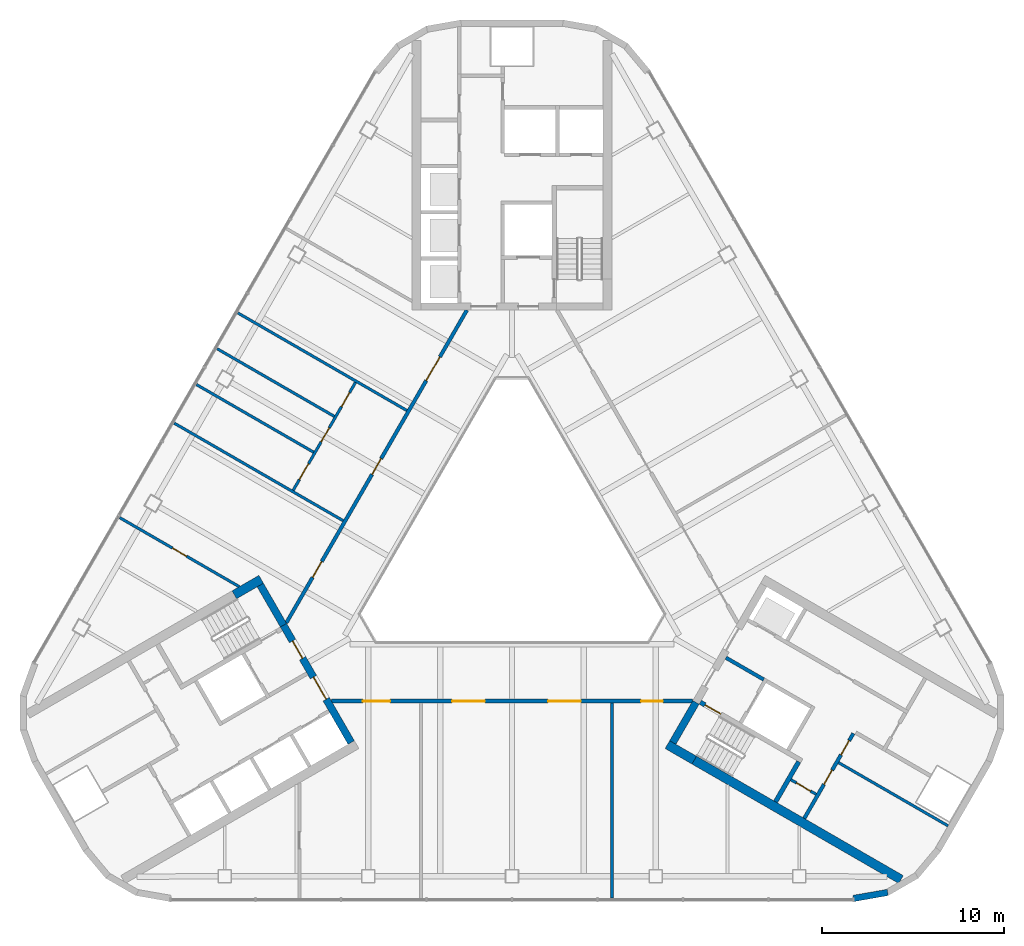
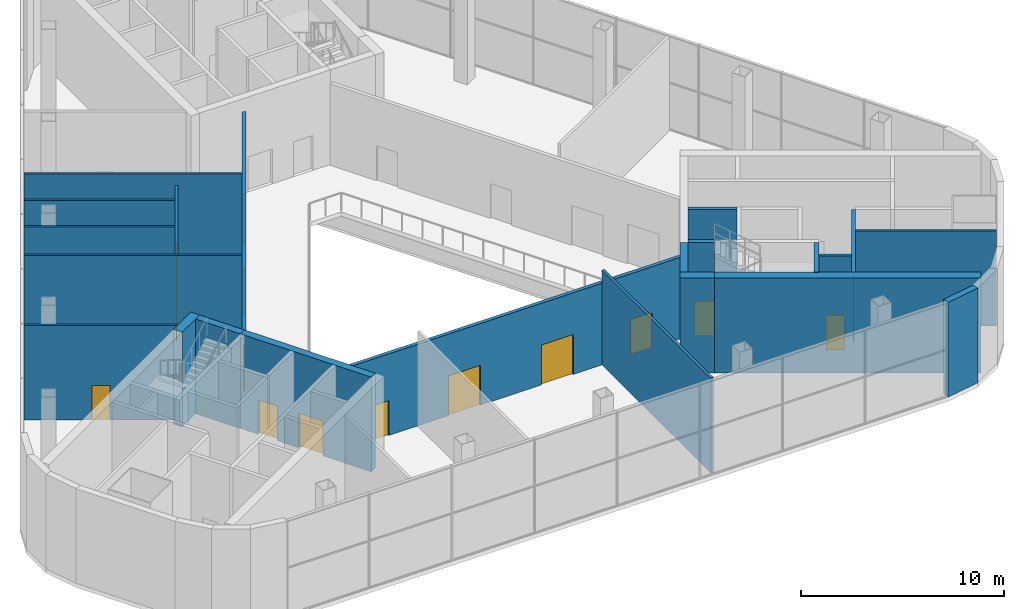
# One storey, part 8 of 14: 22 walls, 17 doors, 17 openings.
"""IFC4 building model written with IfcOpenShell, lengths in metres."""

from ifc_helpers import new_model, si_unit, direction, frame, frame_2d, origin, place, context, subcontext, project, spatial, rectangle, extrude, material, layer, layer_set, type_object, element, fill, save


model = new_model("IFC4")

# Units and contexts
model_context = context("Model", 3, precision=1e-05, world=origin(), true_north=direction((0.0, 1.0)))
body_context = subcontext(model_context, "Body", "Model", "MODEL_VIEW")
ifc_project = project(units=[si_unit("LENGTHUNIT", "METRE"), si_unit("AREAUNIT", "SQUARE_METRE"), si_unit("VOLUMEUNIT", "CUBIC_METRE"), si_unit("PLANEANGLEUNIT", "RADIAN"), si_unit("MASSUNIT", "GRAM", prefix="KILO")], contexts=[model_context])

# Site, building, storey
site_placement = place(None, origin())
site = spatial("IfcSite", under=ifc_project, at=site_placement, CompositionType="ELEMENT")
building_placement = place(site_placement, origin())
building = spatial("IfcBuilding", under=site, at=building_placement, Name="Apuvela Tower Hotel", CompositionType="ELEMENT")
storey_placement = place(building_placement, frame((0.0, 0.0, 231.699951171875)))
storey = spatial("IfcBuildingStorey", under=building, at=storey_placement, Name="L57", CompositionType="ELEMENT", Elevation=231.699951171875)

# Wall
ifc_material_1 = material(Name="Concrete C50/60", Category="concrete")
ifc_layer_1 = layer(ifc_material_1, 0.39990234375)
ifc_layer_set_1 = layer_set([ifc_layer_1], Name="COR-WALL-CORE-400")
wall_type_1 = type_object("IfcWallType", Name="COR-WALL-CORE-400", PredefinedType="SHEAR", material=ifc_layer_set_1)
wall_1_placement = place(storey_placement, frame((-13.844970703125, -2.219970703125, 0.0), z_axis=(0.0, 0.0, 1.0), x_axis=(0.500062241894, -0.865989465428, 0.0)))
element("IfcWall", 1, at=wall_1_placement, inside=storey, type_object=wall_type_1, Name="Core wall SW", PredefinedType="SHEAR", context=body_context, shape_type="SweptSolid", body=[
    extrude(rectangle(XDim=2.550048828125, YDim=0.39990234375, at=frame_2d((1.27490234375, 0.0))), origin(), (0.0, 0.0, 1.0), 5.699951171875),
])

# Wall, openings, doors
wall_2_placement = place(storey_placement, frame((-12.56982421875, -4.42822265625, 0.0), z_axis=(0.0, 0.0, 1.0), x_axis=(0.499984378957, -0.86603442241, 0.0)))
wall_2 = element("IfcWall", 2, at=wall_2_placement, inside=storey, type_object=wall_type_1, Name="Core wall SW", PredefinedType="SHEAR", context=body_context, shape_type="SweptSolid", body=[
    extrude(rectangle(XDim=7.449951171875, YDim=0.39990234375, at=frame_2d((3.72509765625, 0.0))), origin(), (0.0, 0.0, 1.0), 5.699951171875),
])
opening_1_placement = place(wall_2_placement, frame((1.0, 0.0, 0.0)))
opening_1 = element("IfcOpeningElement", 3, at=opening_1_placement, cuts=wall_2, Name="Opening W-FD", PredefinedType="OPENING", context=body_context, shape_type="SweptSolid", body=[
    extrude(rectangle(XDim=1.10009765625, YDim=2.10009765625, at=frame_2d((0.550048828125, 1.050048828125))), frame((0.0, 0.2099609375, 0.0), z_axis=(0.0, -1.0, 0.0), x_axis=(1.0, 0.0, 0.0)), (0.0, 0.0, 1.0), 0.419921875),
])
opening_2_placement = place(wall_2_placement, frame((3.300048828125, 0.0, 0.0)))
opening_2 = element("IfcOpeningElement", 4, at=opening_2_placement, cuts=wall_2, Name="Opening W-GD", PredefinedType="OPENING", context=body_context, shape_type="SweptSolid", body=[
    extrude(rectangle(XDim=1.39990234375, YDim=2.10009765625, at=frame_2d((0.699951171875, 1.050048828125))), frame((0.0, 0.2099609375, 0.0), z_axis=(0.0, -1.0, 0.0), x_axis=(1.0, 0.0, 0.0)), (0.0, 0.0, 1.0), 0.419921875),
])
ifc_material_2 = material(Name="Steel fire door, powder coated", Category="steel")
door_type_1 = type_object("IfcDoorType", Name="COR-FD-1100", OperationType="NOTDEFINED", PredefinedType="DOOR", material=ifc_material_2)
door_1_placement = place(opening_1_placement, frame((1.10009765625, 0.0, 0.0), z_axis=(0.0, 0.0, 1.0), x_axis=(-1.0, 0.0, 0.0)))
door_1 = element("IfcDoor", 5, at=door_1_placement, inside=storey, type_object=door_type_1, Name="Firefighting lobby door W-FD", OperationType="SINGLE_SWING_LEFT", OverallHeight=2.10009765625, OverallWidth=1.10009765625, PredefinedType="DOOR", context=body_context, shape_type="SweptSolid", body=[
    extrude(rectangle(XDim=1.10009765625, YDim=2.10009765625, at=frame_2d((0.550048828125, 1.050048828125))), frame((0.0, 0.02490234375, 0.0), z_axis=(0.0, -1.0, 0.0), x_axis=(1.0, 0.0, 0.0)), (0.0, 0.0, 1.0), 0.050048828125),
])
fill(opening_1, door_1)
ifc_material_3 = material(Name="Glazed steel fire door", Category="steel")
door_type_2 = type_object("IfcDoorType", Name="COR-GD-1400", OperationType="DOUBLE_DOOR_SINGLE_SWING", PredefinedType="DOOR", material=ifc_material_3)
door_2_placement = place(opening_2_placement, frame((1.39990234375, 0.0, 0.0), z_axis=(0.0, 0.0, 1.0), x_axis=(-1.0, 0.0, 0.0)))
door_2 = element("IfcDoor", 6, at=door_2_placement, inside=storey, type_object=door_type_2, Name="Lift lobby door W-GD", OperationType="DOUBLE_DOOR_SINGLE_SWING", OverallHeight=2.10009765625, OverallWidth=1.39990234375, PredefinedType="DOOR", context=body_context, shape_type="SweptSolid", body=[
    extrude(rectangle(XDim=1.39990234375, YDim=2.10009765625, at=frame_2d((0.699951171875, 1.050048828125))), frame((0.0, 0.02490234375, 0.0), z_axis=(0.0, -1.0, 0.0), x_axis=(1.0, 0.0, 0.0)), (0.0, 0.0, 1.0), 0.050048828125),
])
fill(opening_2, door_2)

# Walls
wall_3_placement = place(storey_placement, frame((8.844970703125, -10.880126953125, 0.0), z_axis=(0.0, 0.0, 1.0), x_axis=(0.499990435942, 0.866030925526, 0.0)))
element("IfcWall", 7, at=wall_3_placement, inside=storey, type_object=wall_type_1, Name="Core wall SE", PredefinedType="SHEAR", context=body_context, shape_type="SweptSolid", body=[
    extrude(rectangle(XDim=2.5498046875, YDim=0.39990234375, at=frame_2d((1.27490234375, 0.0))), origin(), (0.0, 0.0, 1.0), 5.699951171875),
])
ifc_layer_2 = layer(ifc_material_1, 0.5)
ifc_layer_set_2 = layer_set([ifc_layer_2], Name="COR-WALL-CORE-500")
wall_type_2 = type_object("IfcWallType", Name="COR-WALL-CORE-500", PredefinedType="SHEAR", material=ifc_layer_set_2)
for number, where, z_axis, x_axis, name in (
    (8, (-13.796630859375, -1.9033203125, 0.0), (0.0, 0.0, 1.0), (-0.866033076574, -0.499986710104, 0.0), "Core wall SW"),
    (9, (8.546630859375, -10.99658203125, 0.0), (0.0, 0.0, 1.0), (0.866033076574, -0.499986710104, 0.0), "Core wall SE"),
):
    element("IfcWall", number, at=place(storey_placement, frame(where, z_axis=z_axis, x_axis=x_axis)), inside=storey, type_object=wall_type_2, Name=name, PredefinedType="SHEAR", context=body_context, shape_type="SweptSolid", body=[
        extrude(rectangle(XDim=1.7060546875, YDim=0.5, at=frame_2d((0.85302734375, 0.0))), origin(), (0.0, 0.0, 1.0), 5.699951171875),
    ])
wall_4_placement = place(storey_placement, frame((10.024169921875, -11.849609375, 0.0), z_axis=(0.0, 0.0, 1.0), x_axis=(0.86602396135, -0.500002498361, 0.0)))
element("IfcWall", 10, at=wall_4_placement, inside=storey, type_object=wall_type_2, Name="Core wall SE", PredefinedType="SHEAR", context=body_context, shape_type="SweptSolid", body=[
    extrude(rectangle(XDim=13.130859375, YDim=0.5, at=frame_2d((6.5654296875, 0.0))), origin(), (0.0, 0.0, 1.0), 5.699951171875),
])

# Wall, opening, door
ifc_material_4 = material(Name="Blockwork 150 mm plastered", Category="masonry")
ifc_layer_3 = layer(ifc_material_4, 0.14990234375)
ifc_layer_set_3 = layer_set([ifc_layer_3], Name="COR-WALL-PART-150")
wall_type_3 = type_object("IfcWallType", Name="COR-WALL-PART-150", PredefinedType="PARTITIONING", material=ifc_layer_set_3)
wall_5_placement = place(storey_placement, frame((15.341552734375, -12.927734375, 0.0), z_axis=(0.0, 0.0, 1.0), x_axis=(0.865989903783, -0.500061482766, 0.0)))
wall_5 = element("IfcWall", 11, at=wall_5_placement, inside=storey, type_object=wall_type_3, Name="Partition SE", PredefinedType="PARTITIONING", context=body_context, shape_type="SweptSolid", body=[
    extrude(rectangle(XDim=1.599853515625, YDim=0.14990234375, at=frame_2d((0.7998046875, 0.0))), origin(), (0.0, 0.0, 1.0), 5.699951171875),
])
opening_3_placement = place(wall_5_placement, frame((0.35009765625, 0.0, 0.0)))
opening_3 = element("IfcOpeningElement", 12, at=opening_3_placement, cuts=wall_5, Name="Opening E-RD", PredefinedType="OPENING", context=body_context, shape_type="SweptSolid", body=[
    extrude(rectangle(XDim=0.89990234375, YDim=2.10009765625, at=frame_2d((0.449951171875, 1.050048828125))), frame((0.0, 0.0849609375, 0.0), z_axis=(0.0, -1.0, 0.0), x_axis=(1.0, 0.0, 0.0)), (0.0, 0.0, 1.0), 0.169921875),
])
ifc_material_5 = material(Name="Steel access door, powder coated", Category="steel")
door_type_3 = type_object("IfcDoorType", Name="COR-RD-900", OperationType="NOTDEFINED", PredefinedType="DOOR", material=ifc_material_5)
door_3_placement = place(opening_3_placement, frame((0.89990234375, 0.0, 0.0), z_axis=(0.0, 0.0, 1.0), x_axis=(-1.0, 0.0, 0.0)))
door_3 = element("IfcDoor", 13, at=door_3_placement, inside=storey, type_object=door_type_3, Name="Riser door E-RD", OperationType="SINGLE_SWING_LEFT", OverallHeight=2.10009765625, OverallWidth=0.89990234375, PredefinedType="DOOR", context=body_context, shape_type="SweptSolid", body=[
    extrude(rectangle(XDim=0.89990234375, YDim=2.10009765625, at=frame_2d((0.449951171875, 1.050048828125))), frame((0.0, 0.02490234375, 0.0), z_axis=(0.0, -1.0, 0.0), x_axis=(1.0, 0.0, 0.0)), (0.0, 0.0, 1.0), 0.050048828125),
])
fill(opening_3, door_3)

# Wall
wall_6_placement = place(storey_placement, frame((17.962890625, -11.9873046875, 0.0), z_axis=(0.0, 0.0, 1.0), x_axis=(0.866016523273, -0.500015381182, 0.0)))
element("IfcWall", 14, at=wall_6_placement, inside=storey, type_object=wall_type_3, Name="Partition SE", PredefinedType="PARTITIONING", context=body_context, shape_type="SweptSolid", body=[
    extrude(rectangle(XDim=6.949951171875, YDim=0.14990234375, at=frame_2d((3.47509765625, 0.0))), origin(), (0.0, 0.0, 1.0), 5.699951171875),
])

# Wall, openings, doors
ifc_material_6 = material(Name="Blockwork 200 mm plastered", Category="masonry")
ifc_layer_4 = layer(ifc_material_6, 0.199951171875)
ifc_layer_set_4 = layer_set([ifc_layer_4], Name="COR-WALL-PART-200")
wall_type_4 = type_object("IfcWallType", Name="COR-WALL-PART-200", PredefinedType="PARTITIONING", material=ifc_layer_set_4)
wall_7_placement = place(storey_placement, frame((16.076171875, -15.05517578125, 0.0), z_axis=(0.0, 0.0, 1.0), x_axis=(0.499995103361, 0.866028230842, 0.0)))
wall_7 = element("IfcWall", 15, at=wall_7_placement, inside=storey, type_object=wall_type_4, Name="Partition SE", PredefinedType="PARTITIONING", context=body_context, shape_type="SweptSolid", body=[
    extrude(rectangle(XDim=5.39990234375, YDim=0.199951171875, at=frame_2d((2.699951171875, 0.0))), origin(), (0.0, 0.0, 1.0), 5.699951171875),
])
opening_4_placement = place(wall_7_placement, frame((2.16259765625, 0.0, 0.0)))
opening_4 = element("IfcOpeningElement", 16, at=opening_4_placement, cuts=wall_7, Name="Opening E-RS1", PredefinedType="OPENING", context=body_context, shape_type="SweptSolid", body=[
    extrude(rectangle(XDim=0.89990234375, YDim=2.10009765625, at=frame_2d((0.449951171875, 1.050048828125))), frame((0.0, 0.10986328125, 0.0), z_axis=(0.0, -1.0, 0.0), x_axis=(1.0, 0.0, 0.0)), (0.0, 0.0, 1.0), 0.219970703125),
])
opening_5_placement = place(wall_7_placement, frame((4.03759765625, 0.0, 0.0)))
opening_5 = element("IfcOpeningElement", 17, at=opening_5_placement, cuts=wall_7, Name="Opening E-RS2", PredefinedType="OPENING", context=body_context, shape_type="SweptSolid", body=[
    extrude(rectangle(XDim=0.89990234375, YDim=2.10009765625, at=frame_2d((0.449951171875, 1.050048828125))), frame((0.0, 0.10986328125, 0.0), z_axis=(0.0, -1.0, 0.0), x_axis=(1.0, 0.0, 0.0)), (0.0, 0.0, 1.0), 0.219970703125),
])
door_type_4 = type_object("IfcDoorType", Name="COR-DR-900", OperationType="NOTDEFINED", PredefinedType="DOOR", material=ifc_material_2)
door_4_placement = place(opening_4_placement, frame((0.89990234375, 0.0, 0.0), z_axis=(0.0, 0.0, 1.0), x_axis=(-1.0, 0.0, 0.0)))
door_4 = element("IfcDoor", 18, at=door_4_placement, inside=storey, type_object=door_type_4, Name="Store door E-RS1", OperationType="SINGLE_SWING_LEFT", OverallHeight=2.10009765625, OverallWidth=0.89990234375, PredefinedType="DOOR", context=body_context, shape_type="SweptSolid", body=[
    extrude(rectangle(XDim=0.89990234375, YDim=2.10009765625, at=frame_2d((0.449951171875, 1.050048828125))), frame((0.0, 0.02490234375, 0.0), z_axis=(0.0, -1.0, 0.0), x_axis=(1.0, 0.0, 0.0)), (0.0, 0.0, 1.0), 0.050048828125),
])
fill(opening_4, door_4)
door_5_placement = place(opening_5_placement, frame((0.89990234375, 0.0, 0.0), z_axis=(0.0, 0.0, 1.0), x_axis=(-1.0, 0.0, 0.0)))
door_5 = element("IfcDoor", 19, at=door_5_placement, inside=storey, type_object=door_type_4, Name="Store door E-RS2", OperationType="SINGLE_SWING_LEFT", OverallHeight=2.10009765625, OverallWidth=0.89990234375, PredefinedType="DOOR", context=body_context, shape_type="SweptSolid", body=[
    extrude(rectangle(XDim=0.89990234375, YDim=2.10009765625, at=frame_2d((0.449951171875, 1.050048828125))), frame((0.0, 0.02490234375, 0.0), z_axis=(0.0, -1.0, 0.0), x_axis=(1.0, 0.0, 0.0)), (0.0, 0.0, 1.0), 0.050048828125),
])
fill(opening_5, door_5)

# Walls
ifc_layer_5 = layer(ifc_material_1, 0.199951171875)
ifc_layer_set_5 = layer_set([ifc_layer_5], Name="COR-WALL-SHAFT-200")
wall_type_5 = type_object("IfcWallType", Name="COR-WALL-SHAFT-200", PredefinedType="SHEAR", material=ifc_layer_set_5)
wall_8_placement = place(storey_placement, frame((11.76806640625, -6.217041015625, 0.0), z_axis=(0.0, 0.0, 1.0), x_axis=(0.866050077142, -0.499957262057, 0.0)))
element("IfcWall", 20, at=wall_8_placement, inside=storey, type_object=wall_type_5, Name="Shaft wall SE", PredefinedType="SHEAR", context=body_context, shape_type="SweptSolid", body=[
    extrude(rectangle(XDim=2.400146484375, YDim=0.199951171875, at=frame_2d((1.2001953125, 0.0))), origin(), (0.0, 0.0, 1.0), 5.699951171875),
])
ifc_layer_6 = layer(ifc_material_1, 0.25)
ifc_layer_set_6 = layer_set([ifc_layer_6], Name="COR-WALL-STAIR-250")
wall_type_6 = type_object("IfcWallType", Name="COR-WALL-STAIR-250", PredefinedType="SHEAR", material=ifc_layer_set_6)
wall_9_placement = place(storey_placement, frame((14.49560546875, -14.142578125, 0.0), z_axis=(0.0, 0.0, 1.0), x_axis=(0.500062241894, 0.865989465428, 0.0)))
element("IfcWall", 21, at=wall_9_placement, inside=storey, type_object=wall_type_6, Name="Stair wall SE", PredefinedType="SHEAR", context=body_context, shape_type="SweptSolid", body=[
    extrude(rectangle(XDim=2.550048828125, YDim=0.25, at=frame_2d((1.27490234375, 0.0))), origin(), (0.0, 0.0, 1.0), 5.699951171875),
])

# Wall, opening, door
wall_10_placement = place(storey_placement, frame((10.355712890625, -8.66357421875, 0.0), z_axis=(0.0, 0.0, 1.0), x_axis=(0.866095317631, -0.499878886109, 0.0)))
wall_10 = element("IfcWall", 22, at=wall_10_placement, inside=storey, type_object=wall_type_6, Name="Stair wall SE", PredefinedType="SHEAR", context=body_context, shape_type="SweptSolid", body=[
    extrude(rectangle(XDim=1.305908203125, YDim=0.25, at=frame_2d((0.65283203125, 0.0))), origin(), (0.0, 0.0, 1.0), 5.699951171875),
])
opening_6_placement = place(wall_10_placement, frame((0.300048828125, 0.0, 0.0)))
opening_6 = element("IfcOpeningElement", 23, at=opening_6_placement, cuts=wall_10, Name="Opening E-SD", PredefinedType="OPENING", context=body_context, shape_type="SweptSolid", body=[
    extrude(rectangle(XDim=1.0, YDim=2.10009765625, at=frame_2d((0.5, 1.050048828125))), frame((0.0, 0.135009765625, 0.0), z_axis=(0.0, -1.0, 0.0), x_axis=(1.0, 0.0, 0.0)), (0.0, 0.0, 1.0), 0.27001953125),
])
door_type_5 = type_object("IfcDoorType", Name="COR-SD-1000", OperationType="NOTDEFINED", PredefinedType="DOOR", material=ifc_material_2)
door_6_placement = place(opening_6_placement, frame((1.0, 0.0, 0.0), z_axis=(0.0, 0.0, 1.0), x_axis=(-1.0, 0.0, 0.0)))
door_6 = element("IfcDoor", 24, at=door_6_placement, inside=storey, type_object=door_type_5, Name="Stair door E-SD", OperationType="SINGLE_SWING_LEFT", OverallHeight=2.10009765625, OverallWidth=1.0, PredefinedType="DOOR", context=body_context, shape_type="SweptSolid", body=[
    extrude(rectangle(XDim=1.0, YDim=2.10009765625, at=frame_2d((0.5, 1.050048828125))), frame((0.0, 0.02490234375, 0.0), z_axis=(0.0, -1.0, 0.0), x_axis=(1.0, 0.0, 0.0)), (0.0, 0.0, 1.0), 0.050048828125),
])
fill(opening_6, door_6)

# Wall
ifc_material_7 = material(Name="Concrete C40/50, dark pigmented precast panel", Category="concrete")
ifc_layer_7 = layer(ifc_material_7, 0.35009765625)
ifc_layer_set_7 = layer_set([ifc_layer_7], Name="ENV-WALL-350")
wall_type_7 = type_object("IfcWallType", Name="ENV-WALL-350", PredefinedType="SOLIDWALL", material=ifc_layer_set_7)
wall_11_placement = place(storey_placement, frame((18.785400390625, -19.457763671875, 0.0), z_axis=(0.0, 0.0, 1.0), x_axis=(0.984798995425, 0.173697837091, 0.0)))
element("IfcWall", 25, at=wall_11_placement, inside=storey, type_object=wall_type_7, Name="External wall L57-16", PredefinedType="SOLIDWALL", context=body_context, shape_type="SweptSolid", body=[
    extrude(rectangle(XDim=1.91015625, YDim=0.35009765625, at=frame_2d((0.955078125, 0.0))), origin(), (0.0, 0.0, 1.0), 5.699951171875),
])

# Wall, openings, doors
ifc_material_8 = material(Name="Fire-rated gypsum board partition on steel stud", Category="steel")
ifc_layer_8 = layer(ifc_material_8, 0.199951171875)
ifc_layer_set_8 = layer_set([ifc_layer_8], Name="SPC-WALL-CORRIDOR")
wall_type_8 = type_object("IfcWallType", Name="SPC-WALL-CORRIDOR", PredefinedType="PARTITIONING", material=ifc_layer_set_8)
wall_12_placement = place(storey_placement, frame((-9.930419921875, -8.60009765625, 0.0), z_axis=(0.0, 0.0, 1.0), x_axis=(1.0, 0.0, 0.0)))
wall_12 = element("IfcWall", 26, at=wall_12_placement, inside=storey, type_object=wall_type_8, Name="Wall L57-S-CW", PredefinedType="PARTITIONING", context=body_context, shape_type="SweptSolid", body=[
    extrude(rectangle(XDim=19.86083984375, YDim=0.199951171875, at=frame_2d((9.930419921875, 0.0))), origin(), (0.0, 0.0, 1.0), 4.91015625),
])
opening_7_placement = place(wall_12_placement, frame((1.733642578125, 0.0, 0.0)))
opening_7 = element("IfcOpeningElement", 27, at=opening_7_placement, cuts=wall_12, Name="Opening L57-S05", PredefinedType="OPENING", context=body_context, shape_type="SweptSolid", body=[
    extrude(rectangle(XDim=1.5, YDim=2.10009765625, at=frame_2d((0.75, 1.050048828125))), frame((0.0, 0.10986328125, 0.0), z_axis=(0.0, -1.0, 0.0), x_axis=(1.0, 0.0, 0.0)), (0.0, 0.0, 1.0), 0.219970703125),
])
opening_8_placement = place(wall_12_placement, frame((6.63720703125, 0.0, 0.0)))
opening_8 = element("IfcOpeningElement", 28, at=opening_8_placement, cuts=wall_12, Name="Opening L57-S07", PredefinedType="OPENING", context=body_context, shape_type="SweptSolid", body=[
    extrude(rectangle(XDim=1.800048828125, YDim=2.39990234375, at=frame_2d((0.89990234375, 1.199951171875))), frame((0.0, 0.10986328125, 0.0), z_axis=(0.0, -1.0, 0.0), x_axis=(1.0, 0.0, 0.0)), (0.0, 0.0, 1.0), 0.219970703125),
])
opening_9_placement = place(wall_12_placement, frame((11.923828125, 0.0, 0.0)))
opening_9 = element("IfcOpeningElement", 29, at=opening_9_placement, cuts=wall_12, Name="Opening L57-S08", PredefinedType="OPENING", context=body_context, shape_type="SweptSolid", body=[
    extrude(rectangle(XDim=1.800048828125, YDim=2.39990234375, at=frame_2d((0.89990234375, 1.199951171875))), frame((0.0, 0.10986328125, 0.0), z_axis=(0.0, -1.0, 0.0), x_axis=(1.0, 0.0, 0.0)), (0.0, 0.0, 1.0), 0.219970703125),
])
opening_10_placement = place(wall_12_placement, frame((17.027587890625, 0.0, 0.0)))
opening_10 = element("IfcOpeningElement", 30, at=opening_10_placement, cuts=wall_12, Name="Opening L57-S09", PredefinedType="OPENING", context=body_context, shape_type="SweptSolid", body=[
    extrude(rectangle(XDim=1.199951171875, YDim=2.10009765625, at=frame_2d((0.60009765625, 1.050048828125))), frame((0.0, 0.10986328125, 0.0), z_axis=(0.0, -1.0, 0.0), x_axis=(1.0, 0.0, 0.0)), (0.0, 0.0, 1.0), 0.219970703125),
])
ifc_material_9 = material(Name="Fire-rated hardwood veneer door leaf", Category="wood")
door_type_6 = type_object("IfcDoorType", Name="SPC-DOOR-1200-FD", OperationType="NOTDEFINED", PredefinedType="DOOR", material=ifc_material_9)
door_7_placement = place(opening_10_placement, frame((1.199951171875, 0.0, 0.0), z_axis=(0.0, 0.0, 1.0), x_axis=(-1.0, 0.0, 0.0)))
door_7 = element("IfcDoor", 31, at=door_7_placement, inside=storey, type_object=door_type_6, Name="L57-S09", OperationType="SINGLE_SWING_RIGHT", OverallHeight=2.10009765625, OverallWidth=1.199951171875, PredefinedType="DOOR", context=body_context, shape_type="SweptSolid", body=[
    extrude(rectangle(XDim=1.199951171875, YDim=2.10009765625, at=frame_2d((0.60009765625, 1.050048828125))), frame((0.0, 0.02490234375, 0.0), z_axis=(0.0, -1.0, 0.0), x_axis=(1.0, 0.0, 0.0)), (0.0, 0.0, 1.0), 0.050048828125),
])
fill(opening_10, door_7)
door_type_7 = type_object("IfcDoorType", Name="SPC-DOOR-1500-FD", OperationType="NOTDEFINED", PredefinedType="DOOR", material=ifc_material_9)
door_8_placement = place(opening_7_placement, origin())
door_8 = element("IfcDoor", 32, at=door_8_placement, inside=storey, type_object=door_type_7, Name="L57-S05", OperationType="DOUBLE_DOOR_SINGLE_SWING", OverallHeight=2.10009765625, OverallWidth=1.5, PredefinedType="DOOR", context=body_context, shape_type="SweptSolid", body=[
    extrude(rectangle(XDim=1.5, YDim=2.10009765625, at=frame_2d((0.75, 1.050048828125))), frame((0.0, 0.02490234375, 0.0), z_axis=(0.0, -1.0, 0.0), x_axis=(1.0, 0.0, 0.0)), (0.0, 0.0, 1.0), 0.050048828125),
])
fill(opening_7, door_8)
door_type_8 = type_object("IfcDoorType", Name="SPC-DOOR-1800-FD", OperationType="NOTDEFINED", PredefinedType="DOOR", material=ifc_material_9)
door_9_placement = place(opening_8_placement, frame((1.800048828125, 0.0, 0.0), z_axis=(0.0, 0.0, 1.0), x_axis=(-1.0, 0.0, 0.0)))
door_9 = element("IfcDoor", 33, at=door_9_placement, inside=storey, type_object=door_type_8, Name="L57-S07", OperationType="DOUBLE_DOOR_SINGLE_SWING", OverallHeight=2.39990234375, OverallWidth=1.800048828125, PredefinedType="DOOR", context=body_context, shape_type="SweptSolid", body=[
    extrude(rectangle(XDim=1.800048828125, YDim=2.39990234375, at=frame_2d((0.89990234375, 1.199951171875))), frame((0.0, 0.02490234375, 0.0), z_axis=(0.0, -1.0, 0.0), x_axis=(1.0, 0.0, 0.0)), (0.0, 0.0, 1.0), 0.050048828125),
])
fill(opening_8, door_9)
door_10_placement = place(opening_9_placement, frame((1.800048828125, 0.0, 0.0), z_axis=(0.0, 0.0, 1.0), x_axis=(-1.0, 0.0, 0.0)))
door_10 = element("IfcDoor", 34, at=door_10_placement, inside=storey, type_object=door_type_8, Name="L57-S08", OperationType="DOUBLE_DOOR_SINGLE_SWING", OverallHeight=2.39990234375, OverallWidth=1.800048828125, PredefinedType="DOOR", context=body_context, shape_type="SweptSolid", body=[
    extrude(rectangle(XDim=1.800048828125, YDim=2.39990234375, at=frame_2d((0.89990234375, 1.199951171875))), frame((0.0, 0.02490234375, 0.0), z_axis=(0.0, -1.0, 0.0), x_axis=(1.0, 0.0, 0.0)), (0.0, 0.0, 1.0), 0.050048828125),
])
fill(opening_9, door_10)

wall_13_placement = place(storey_placement, frame((-2.482421875, 12.900146484375, 0.0), z_axis=(0.0, 0.0, 1.0), x_axis=(-0.50000478328, -0.866022642139, 0.0)))
wall_13 = element("IfcWall", 35, at=wall_13_placement, inside=storey, type_object=wall_type_8, Name="Wall L57-NW-CW", PredefinedType="PARTITIONING", context=body_context, shape_type="SweptSolid", body=[
    extrude(rectangle(XDim=19.861083984375, YDim=0.199951171875, at=frame_2d((9.9306640625, 0.0))), origin(), (0.0, 0.0, 1.0), 4.91015625),
])
opening_11_placement = place(wall_13_placement, frame((2.968017578125, 0.0, 0.0)))
opening_11 = element("IfcOpeningElement", 36, at=opening_11_placement, cuts=wall_13, Name="Opening L57-S10", PredefinedType="OPENING", context=body_context, shape_type="SweptSolid", body=[
    extrude(rectangle(XDim=1.5, YDim=2.10009765625, at=frame_2d((0.75, 1.050048828125))), frame((0.0, 0.10986328125, 0.0), z_axis=(0.0, -1.0, 0.0), x_axis=(1.0, 0.0, 0.0)), (0.0, 0.0, 1.0), 0.219970703125),
])
opening_12_placement = place(wall_13_placement, frame((15.968017578125, 0.0, 0.0)))
opening_12 = element("IfcOpeningElement", 37, at=opening_12_placement, cuts=wall_13, Name="Opening L57-S12", PredefinedType="OPENING", context=body_context, shape_type="SweptSolid", body=[
    extrude(rectangle(XDim=1.0, YDim=2.10009765625, at=frame_2d((0.5, 1.050048828125))), frame((0.0, 0.10986328125, 0.0), z_axis=(0.0, -1.0, 0.0), x_axis=(1.0, 0.0, 0.0)), (0.0, 0.0, 1.0), 0.219970703125),
])
opening_13_placement = place(wall_13_placement, frame((9.430419921875, 0.0, 0.0)))
opening_13 = element("IfcOpeningElement", 38, at=opening_13_placement, cuts=wall_13, Name="Opening L57-S15", PredefinedType="OPENING", context=body_context, shape_type="SweptSolid", body=[
    extrude(rectangle(XDim=1.0, YDim=2.10009765625, at=frame_2d((0.5, 1.050048828125))), frame((0.0, 0.10986328125, 0.0), z_axis=(0.0, -1.0, 0.0), x_axis=(1.0, 0.0, 0.0)), (0.0, 0.0, 1.0), 0.219970703125),
])
door_type_9 = type_object("IfcDoorType", Name="SPC-DOOR-1000-FD", OperationType="NOTDEFINED", PredefinedType="DOOR", material=ifc_material_9)
door_11_placement = place(opening_12_placement, origin())
door_11 = element("IfcDoor", 39, at=door_11_placement, inside=storey, type_object=door_type_9, Name="L57-S12", OperationType="SINGLE_SWING_RIGHT", OverallHeight=2.10009765625, OverallWidth=1.0, PredefinedType="DOOR", context=body_context, shape_type="SweptSolid", body=[
    extrude(rectangle(XDim=1.0, YDim=2.10009765625, at=frame_2d((0.5, 1.050048828125))), frame((0.0, 0.02490234375, 0.0), z_axis=(0.0, -1.0, 0.0), x_axis=(1.0, 0.0, 0.0)), (0.0, 0.0, 1.0), 0.050048828125),
])
fill(opening_12, door_11)
door_12_placement = place(opening_13_placement, frame((1.0, 0.0, 0.0), z_axis=(0.0, 0.0, 1.0), x_axis=(-1.0, 0.0, 0.0)))
door_12 = element("IfcDoor", 40, at=door_12_placement, inside=storey, type_object=door_type_9, Name="L57-S15", OperationType="SINGLE_SWING_RIGHT", OverallHeight=2.10009765625, OverallWidth=1.0, PredefinedType="DOOR", context=body_context, shape_type="SweptSolid", body=[
    extrude(rectangle(XDim=1.0, YDim=2.10009765625, at=frame_2d((0.5, 1.050048828125))), frame((0.0, 0.02490234375, 0.0), z_axis=(0.0, -1.0, 0.0), x_axis=(1.0, 0.0, 0.0)), (0.0, 0.0, 1.0), 0.050048828125),
])
fill(opening_13, door_12)
door_13_placement = place(opening_11_placement, origin())
door_13 = element("IfcDoor", 41, at=door_13_placement, inside=storey, type_object=door_type_7, Name="L57-S10", OperationType="DOUBLE_DOOR_SINGLE_SWING", OverallHeight=2.10009765625, OverallWidth=1.5, PredefinedType="DOOR", context=body_context, shape_type="SweptSolid", body=[
    extrude(rectangle(XDim=1.5, YDim=2.10009765625, at=frame_2d((0.75, 1.050048828125))), frame((0.0, 0.02490234375, 0.0), z_axis=(0.0, -1.0, 0.0), x_axis=(1.0, 0.0, 0.0)), (0.0, 0.0, 1.0), 0.050048828125),
])
fill(opening_11, door_13)

# Wall
ifc_material_10 = material(Name="Gypsum board partition on steel stud", Category="steel")
ifc_layer_9 = layer(ifc_material_10, 0.14990234375)
ifc_layer_set_9 = layer_set([ifc_layer_9], Name="SPC-WALL-PARTITION")
wall_type_9 = type_object("IfcWallType", Name="SPC-WALL-PARTITION", PredefinedType="PARTITIONING", material=ifc_layer_set_9)
wall_14_placement = place(storey_placement, frame((5.5, -19.429931640625, 0.0), z_axis=(0.0, 0.0, 1.0), x_axis=(0.0, 1.0, 0.0)))
element("IfcWall", 42, at=wall_14_placement, inside=storey, type_object=wall_type_9, Name="Wall L57-S-P03", PredefinedType="PARTITIONING", context=body_context, shape_type="SweptSolid", body=[
    extrude(rectangle(XDim=10.72998046875, YDim=0.14990234375, at=frame_2d((5.364990234375, 0.0))), origin(), (0.0, 0.0, 1.0), 5.699951171875),
])

# Wall, openings, doors
wall_15_placement = place(storey_placement, frame((-8.609619140625, 8.925537109375, 0.0), z_axis=(0.0, 0.0, 1.0), x_axis=(-0.500014519185, -0.866017020967, 0.0)))
wall_15 = element("IfcWall", 43, at=wall_15_placement, inside=storey, type_object=wall_type_9, Name="Wall L57-NW-P01", PredefinedType="PARTITIONING", context=body_context, shape_type="SweptSolid", body=[
    extrude(rectangle(XDim=6.849853515625, YDim=0.14990234375, at=frame_2d((3.4248046875, 0.0))), origin(), (0.0, 0.0, 1.0), 5.010009765625),
])
opening_14_placement = place(wall_15_placement, frame((5.1669921875, 0.0, 0.0)))
opening_14 = element("IfcOpeningElement", 44, at=opening_14_placement, cuts=wall_15, Name="Opening L57-S14", PredefinedType="OPENING", context=body_context, shape_type="SweptSolid", body=[
    extrude(rectangle(XDim=1.0, YDim=2.10009765625, at=frame_2d((0.5, 1.050048828125))), frame((0.0, 0.0849609375, 0.0), z_axis=(0.0, -1.0, 0.0), x_axis=(1.0, 0.0, 0.0)), (0.0, 0.0, 1.0), 0.169921875),
])
opening_15_placement = place(wall_15_placement, frame((2.887451171875, 0.0, 0.0)))
opening_15 = element("IfcOpeningElement", 45, at=opening_15_placement, cuts=wall_15, Name="Opening L57-S16", PredefinedType="OPENING", context=body_context, shape_type="SweptSolid", body=[
    extrude(rectangle(XDim=0.89990234375, YDim=2.10009765625, at=frame_2d((0.449951171875, 1.050048828125))), frame((0.0, 0.0849609375, 0.0), z_axis=(0.0, -1.0, 0.0), x_axis=(1.0, 0.0, 0.0)), (0.0, 0.0, 1.0), 0.169921875),
])
opening_16_placement = place(wall_15_placement, frame((0.6455078125, 0.0, 0.0)))
opening_16 = element("IfcOpeningElement", 46, at=opening_16_placement, cuts=wall_15, Name="Opening L57-S17", PredefinedType="OPENING", context=body_context, shape_type="SweptSolid", body=[
    extrude(rectangle(XDim=0.89990234375, YDim=2.10009765625, at=frame_2d((0.449951171875, 1.050048828125))), frame((0.0, 0.0849609375, 0.0), z_axis=(0.0, -1.0, 0.0), x_axis=(1.0, 0.0, 0.0)), (0.0, 0.0, 1.0), 0.169921875),
])
ifc_material_11 = material(Name="Hardwood veneer door leaf", Category="wood")
door_type_10 = type_object("IfcDoorType", Name="SPC-DOOR-1000", OperationType="NOTDEFINED", PredefinedType="DOOR", material=ifc_material_11)
door_14_placement = place(opening_14_placement, frame((1.0, 0.0, 0.0), z_axis=(0.0, 0.0, 1.0), x_axis=(-1.0, 0.0, 0.0)))
door_14 = element("IfcDoor", 47, at=door_14_placement, inside=storey, type_object=door_type_10, Name="L57-S14", OperationType="SINGLE_SWING_LEFT", OverallHeight=2.10009765625, OverallWidth=1.0, PredefinedType="DOOR", context=body_context, shape_type="SweptSolid", body=[
    extrude(rectangle(XDim=1.0, YDim=2.10009765625, at=frame_2d((0.5, 1.050048828125))), frame((0.0, 0.02490234375, 0.0), z_axis=(0.0, -1.0, 0.0), x_axis=(1.0, 0.0, 0.0)), (0.0, 0.0, 1.0), 0.050048828125),
])
fill(opening_14, door_14)
door_type_11 = type_object("IfcDoorType", Name="SPC-DOOR-900", OperationType="NOTDEFINED", PredefinedType="DOOR", material=ifc_material_11)
door_15_placement = place(opening_15_placement, frame((0.89990234375, 0.0, 0.0), z_axis=(0.0, 0.0, 1.0), x_axis=(-1.0, 0.0, 0.0)))
door_15 = element("IfcDoor", 48, at=door_15_placement, inside=storey, type_object=door_type_11, Name="L57-S16", OperationType="SINGLE_SWING_LEFT", OverallHeight=2.10009765625, OverallWidth=0.89990234375, PredefinedType="DOOR", context=body_context, shape_type="SweptSolid", body=[
    extrude(rectangle(XDim=0.89990234375, YDim=2.10009765625, at=frame_2d((0.449951171875, 1.050048828125))), frame((0.0, 0.02490234375, 0.0), z_axis=(0.0, -1.0, 0.0), x_axis=(1.0, 0.0, 0.0)), (0.0, 0.0, 1.0), 0.050048828125),
])
fill(opening_15, door_15)
door_16_placement = place(opening_16_placement, frame((0.89990234375, 0.0, 0.0), z_axis=(0.0, 0.0, 1.0), x_axis=(-1.0, 0.0, 0.0)))
door_16 = element("IfcDoor", 49, at=door_16_placement, inside=storey, type_object=door_type_11, Name="L57-S17", OperationType="SINGLE_SWING_RIGHT", OverallHeight=2.10009765625, OverallWidth=0.89990234375, PredefinedType="DOOR", context=body_context, shape_type="SweptSolid", body=[
    extrude(rectangle(XDim=0.89990234375, YDim=2.10009765625, at=frame_2d((0.449951171875, 1.050048828125))), frame((0.0, 0.02490234375, 0.0), z_axis=(0.0, -1.0, 0.0), x_axis=(1.0, 0.0, 0.0)), (0.0, 0.0, 1.0), 0.050048828125),
])
fill(opening_16, door_16)

# Walls
wall_16_placement = place(storey_placement, frame((-15.076904296875, 12.74609375, 0.0), z_axis=(0.0, 0.0, 1.0), x_axis=(0.866026447599, -0.499998192055, 0.0)))
element("IfcWall", 50, at=wall_16_placement, inside=storey, type_object=wall_type_9, Name="Wall L57-NW-P03", PredefinedType="PARTITIONING", context=body_context, shape_type="SweptSolid", body=[
    extrude(rectangle(XDim=10.72998046875, YDim=0.14990234375, at=frame_2d((5.364990234375, 0.0))), origin(), (0.0, 0.0, 1.0), 5.699951171875),
])
for number, where, z_axis, x_axis, name in (
    (51, (-16.21435546875, 10.77587890625, 0.0), (0.0, 0.0, 1.0), (0.866022106167, -0.500005711598, 0.0), "Wall L57-NW-P04"),
    (52, (-17.351806640625, 8.8056640625, 0.0), (0.0, 0.0, 1.0), (0.866022106167, -0.500005711598, 0.0), "Wall L57-NW-P05"),
):
    element("IfcWall", number, at=place(storey_placement, frame(where, z_axis=z_axis, x_axis=x_axis)), inside=storey, type_object=wall_type_9, Name=name, PredefinedType="PARTITIONING", context=body_context, shape_type="SweptSolid", body=[
        extrude(rectangle(XDim=7.43603515625, YDim=0.14990234375, at=frame_2d((3.718017578125, 0.0))), origin(), (0.0, 0.0, 1.0), 5.699951171875),
    ])
wall_17_placement = place(storey_placement, frame((-18.576904296875, 6.683837890625, 0.0), z_axis=(0.0, 0.0, 1.0), x_axis=(0.866026447599, -0.499998192055, 0.0)))
element("IfcWall", 53, at=wall_17_placement, inside=storey, type_object=wall_type_9, Name="Wall L57-NW-P06", PredefinedType="PARTITIONING", context=body_context, shape_type="SweptSolid", body=[
    extrude(rectangle(XDim=10.72998046875, YDim=0.14990234375, at=frame_2d((5.364990234375, 0.0))), origin(), (0.0, 0.0, 1.0), 5.699951171875),
])

# Wall, opening, door
wall_18_placement = place(storey_placement, frame((-21.576904296875, 1.48779296875, 0.0), z_axis=(0.0, 0.0, 1.0), x_axis=(0.866014808974, -0.500018350302, 0.0)))
wall_18 = element("IfcWall", 54, at=wall_18_placement, inside=storey, type_object=wall_type_9, Name="Wall L57-NW-P07", PredefinedType="PARTITIONING", context=body_context, shape_type="SweptSolid", body=[
    extrude(rectangle(XDim=7.594482421875, YDim=0.14990234375, at=frame_2d((3.79736328125, 0.0))), origin(), (0.0, 0.0, 1.0), 5.699951171875),
])
opening_17_placement = place(wall_18_placement, frame((3.34716796875, 0.0, 0.0)))
opening_17 = element("IfcOpeningElement", 55, at=opening_17_placement, cuts=wall_18, Name="Opening L57-S13", PredefinedType="OPENING", context=body_context, shape_type="SweptSolid", body=[
    extrude(rectangle(XDim=0.89990234375, YDim=2.10009765625, at=frame_2d((0.449951171875, 1.050048828125))), frame((0.0, 0.0849609375, 0.0), z_axis=(0.0, -1.0, 0.0), x_axis=(1.0, 0.0, 0.0)), (0.0, 0.0, 1.0), 0.169921875),
])
door_17_placement = place(opening_17_placement, frame((0.89990234375, 0.0, 0.0), z_axis=(0.0, 0.0, 1.0), x_axis=(-1.0, 0.0, 0.0)))
door_17 = element("IfcDoor", 56, at=door_17_placement, inside=storey, type_object=door_type_11, Name="L57-S13", OperationType="SINGLE_SWING_RIGHT", OverallHeight=2.10009765625, OverallWidth=0.89990234375, PredefinedType="DOOR", context=body_context, shape_type="SweptSolid", body=[
    extrude(rectangle(XDim=0.89990234375, YDim=2.10009765625, at=frame_2d((0.449951171875, 1.050048828125))), frame((0.0, 0.02490234375, 0.0), z_axis=(0.0, -1.0, 0.0), x_axis=(1.0, 0.0, 0.0)), (0.0, 0.0, 1.0), 0.050048828125),
])
fill(opening_17, door_17)

save(model, "model.ifc")
